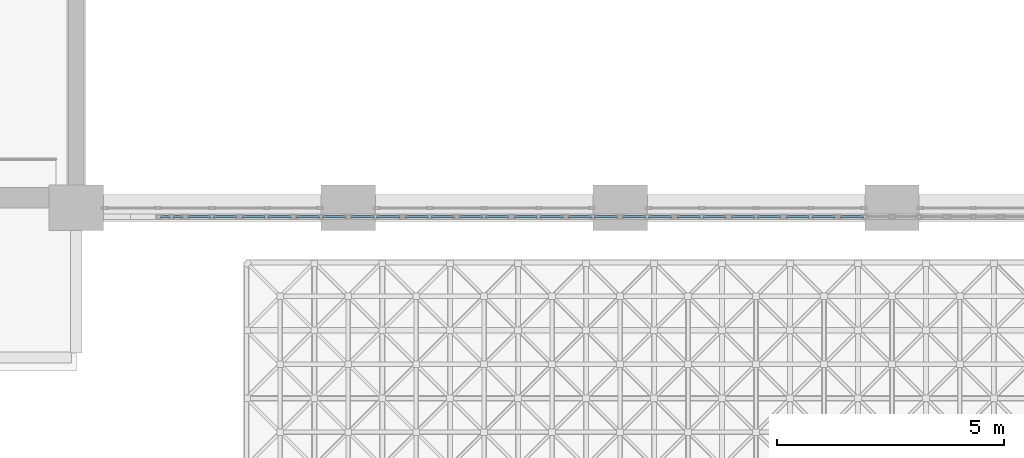
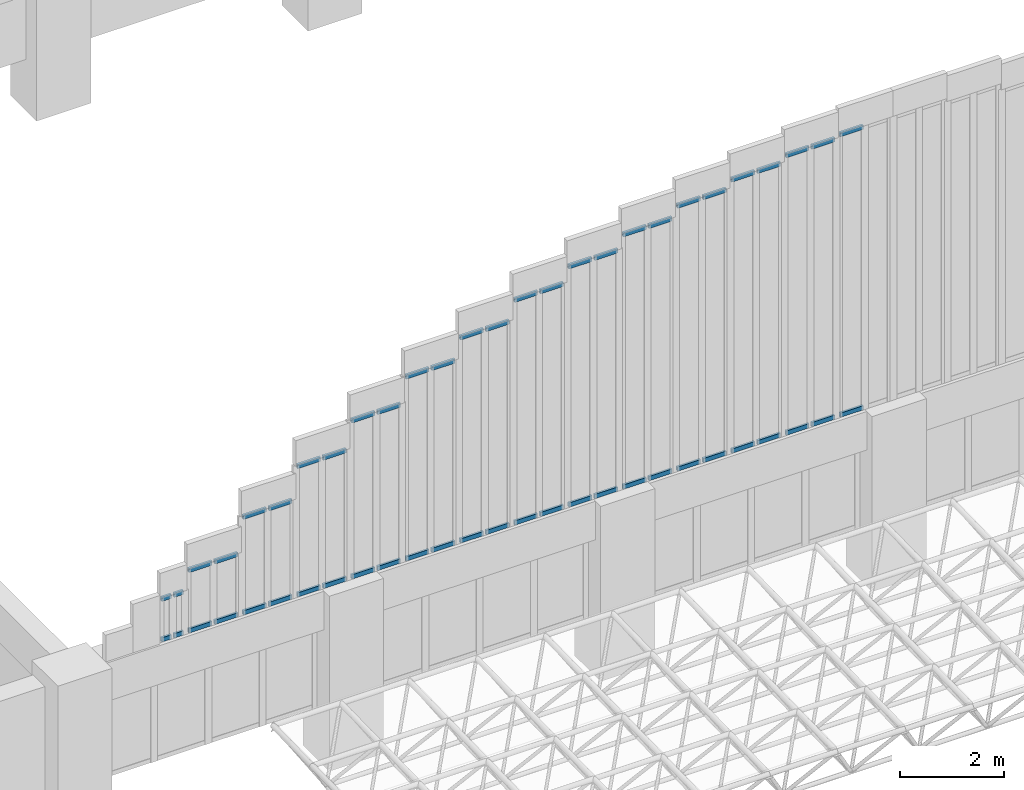
# One storey, part 41 of 103: 54 members, 14 elements without a shape of their own.
"""IFC4 building model written with IfcOpenShell, lengths in metres."""

import ifcopenshell
import ifcopenshell.guid

model = None  # the IFC model being written
_history = None  # IfcOwnerHistory: only IFC2X3 demands one
_inside = {}  # id of a spatial element -> (the spatial element, [elements in it])
_under = {}  # id of a project, library or spatial element -> (it, [spatial elements below it])
_declared = {}  # id of a project -> (the project, [libraries it declares])
_typed = {}  # id of a type object -> (the type object, [elements of that type])
_made_of = {}  # id of a material, layer set ... -> (it, [elements and type objects made of it])


def new_model(schema):
    """Start an empty IFC model of exactly this schema.

    Asked for "IFC4X3", IfcOpenShell would pick the latest addendum, in which some entities
    have other attributes; the version numbers below select the first issue.
    IFC2X3 requires an IfcOwnerHistory on every rooted entity: one is made here for all.
    """
    global model, _history
    if schema == "IFC4X3":
        model = ifcopenshell.file(schema_version=(4, 3, 0, 0))
    else:
        model = ifcopenshell.file(schema=schema)
    _inside.clear()
    _under.clear()
    _declared.clear()
    _typed.clear()
    _made_of.clear()
    _history = None
    if model.schema == "IFC2X3":
        org = make("IfcOrganization", Name="unknown")
        user = make(
            "IfcPersonAndOrganization",
            ThePerson=make("IfcPerson", FamilyName="unknown"),
            TheOrganization=org,
        )
        app = make(
            "IfcApplication",
            ApplicationDeveloper=org,
            Version="unknown",
            ApplicationFullName="unknown",
            ApplicationIdentifier="unknown",
        )
        _history = make(
            "IfcOwnerHistory",
            OwningUser=user,
            OwningApplication=app,
            ChangeAction="ADDED",
            CreationDate=0,
        )
    return model


def make(cls, **values):
    """One entity of the class cls with the attributes given. An attribute that is None is left unset."""
    return model.create_entity(
        cls, **{name: value for name, value in values.items() if value is not None}
    )


def rooted(cls, **values):
    """An entity with a GlobalId (a new one), such as an element, a storey or a relation."""
    return make(cls, GlobalId=ifcopenshell.guid.new(), OwnerHistory=_history, **values)


def si_unit(unit_type, name, prefix=None):
    """IfcSIUnit, for example si_unit("LENGTHUNIT", "METRE", prefix="MILLI")."""
    return make("IfcSIUnit", UnitType=unit_type, Prefix=prefix, Name=name)


def assignment(units):
    """IfcUnitAssignment: the units of a project."""
    return None if units is None else make("IfcUnitAssignment", Units=units)


def point(xyz):
    """IfcCartesianPoint."""
    return None if xyz is None else make("IfcCartesianPoint", Coordinates=xyz)


def direction(xyz):
    """IfcDirection."""
    return None if xyz is None else make("IfcDirection", DirectionRatios=xyz)


def frame(location, z_axis=None, x_axis=None):
    """IfcAxis2Placement3D, a coordinate frame: its origin and axes. An axis left out is left unset."""
    return make(
        "IfcAxis2Placement3D",
        Location=point(location),
        Axis=direction(z_axis),
        RefDirection=direction(x_axis),
    )


def frame_2d(location, x_axis=None):
    """IfcAxis2Placement2D, a coordinate frame in the plane: its origin and x axis."""
    return make(
        "IfcAxis2Placement2D", Location=point(location), RefDirection=direction(x_axis)
    )


def origin():
    """The frame at (0, 0, 0) with its axes left unset."""
    return frame((0.0, 0.0, 0.0))


def origin_2d():
    """The frame at (0, 0) in the plane with its x axis left unset."""
    return frame_2d((0.0, 0.0))


def place(relative_to, where):
    """IfcLocalPlacement: puts the frame where relative to a parent placement (None: the world)."""
    return make(
        "IfcLocalPlacement", PlacementRelTo=relative_to, RelativePlacement=where
    )


def context(
    kind, dimensions, precision=None, world=None, true_north=None, identifier=None
):
    """IfcGeometricRepresentationContext, for example the 3D "Model" context."""
    return make(
        "IfcGeometricRepresentationContext",
        ContextIdentifier=identifier,
        ContextType=kind,
        CoordinateSpaceDimension=dimensions,
        Precision=precision,
        WorldCoordinateSystem=world,
        TrueNorth=true_north,
    )


def subcontext(parent, identifier, kind, view, scale=None):
    """IfcGeometricRepresentationSubContext, for example "Body" below "Model"."""
    return make(
        "IfcGeometricRepresentationSubContext",
        ContextIdentifier=identifier,
        ContextType=kind,
        ParentContext=parent,
        TargetScale=scale,
        TargetView=view,
    )


def project(units=None, contexts=None):
    """IfcProject with its units and contexts."""
    return rooted(
        "IfcProject",
        Name="project",
        RepresentationContexts=contexts,
        UnitsInContext=assignment(units),
    )


def spatial(cls, under=None, at=None, **own):
    """A site, building, storey or space (cls), placed at a placement, below another one or the project."""
    s = rooted(cls, ObjectPlacement=at, **own)
    if under is not None:
        _under.setdefault(under.id(), (under, []))[1].append(s)
    return s


def profile(cls, at=None, kind="AREA", **sizes):
    """A parametric profile (cls). Its sizes go by their IFC names, for example OverallWidth=200.0."""
    return make(cls, ProfileType=kind, Position=at, **sizes)


def hollow_rectangle(**sizes):
    """IfcRectangleHollowProfileDef."""
    return profile("IfcRectangleHollowProfileDef", **sizes)


def extrude(swept, where, along, depth):
    """IfcExtrudedAreaSolid: the profile swept, set in the frame where, extruded along a direction by depth."""
    return make(
        "IfcExtrudedAreaSolid",
        SweptArea=swept,
        Position=where,
        ExtrudedDirection=direction(along),
        Depth=depth,
    )


def shape(context_of_items, identifier, shape_type, items):
    """IfcShapeRepresentation: the items that make up one representation, for example the "Body"."""
    return make(
        "IfcShapeRepresentation",
        ContextOfItems=context_of_items,
        RepresentationIdentifier=identifier,
        RepresentationType=shape_type,
        Items=items,
    )


def material(Name=None, Category=None):
    """IfcMaterial."""
    return make("IfcMaterial", Name=Name, Category=Category)


def material_profile(
    of_material, cross_section, Name=None, Category=None, Priority=None
):
    """IfcMaterialProfile: a cross section and its material."""
    return make(
        "IfcMaterialProfile",
        Name=Name,
        Material=of_material,
        Profile=cross_section,
        Priority=Priority,
        Category=Category,
    )


def profile_set(profiles, Name=None, composite=None):
    """IfcMaterialProfileSet."""
    return make(
        "IfcMaterialProfileSet",
        Name=Name,
        MaterialProfiles=profiles,
        CompositeProfile=composite,
    )


def made_of(thing, what):
    """Note that an element or type object is made of a material, layer set ...; save() writes the relation."""
    if what is not None:
        _made_of.setdefault(what.id(), (what, []))[1].append(thing)
    return thing


def type_object(cls, material=None, **own):
    """A type object (cls), such as IfcWallType, which elements share."""
    return made_of(rooted(cls, **own), material)


def element(
    cls,
    number,
    at=None,
    inside=None,
    cuts=None,
    type_object=None,
    material=None,
    context=None,
    identifier="Body",
    shape_type=None,
    held_by="IfcProductDefinitionShape",
    body=None,
    shapes=None,
    **own,
):
    """One element of the class cls, such as IfcWall. Its Tag is "e" and its number.

    at: its placement. inside: the storey or other place that contains it. cuts: it is an
    opening in that element (IfcRelVoidsElement). A single representation is given by context,
    identifier, shape_type and body (its items); several are given by shapes. held_by: the class
    of the entity that holds the representations. save() writes the other relations.
    """
    e = rooted(cls, Tag="e%d" % number, ObjectPlacement=at, **own)
    if body is not None:
        shapes = [shape(context, identifier, shape_type, body)]
    if shapes is not None:
        e.Representation = make(held_by, Representations=shapes)
    if inside is not None:
        _inside.setdefault(inside.id(), (inside, []))[1].append(e)
    if cuts is not None:
        rooted(
            "IfcRelVoidsElement", RelatingBuildingElement=cuts, RelatedOpeningElement=e
        )
    if type_object is not None:
        _typed.setdefault(type_object.id(), (type_object, []))[1].append(e)
    return made_of(e, material)


def aggregate(whole, parts):
    """IfcRelAggregates: a whole, such as a stair, and the parts it consists of."""
    return rooted("IfcRelAggregates", RelatingObject=whole, RelatedObjects=parts)


def save(model, path):
    """Write the relations noted so far, then the file.

    IfcRelAggregates (storeys below a building ...), IfcRelContainedInSpatialStructure (elements
    in a storey), IfcRelDefinesByType, IfcRelAssociatesMaterial and IfcRelDeclares: one each for
    every whole, place, type object, material and project.
    """
    for whole, parts in _under.values():
        aggregate(whole, parts)
    for where, things in _inside.values():
        rooted(
            "IfcRelContainedInSpatialStructure",
            RelatedElements=things,
            RelatingStructure=where,
        )
    for kind, things in _typed.values():
        rooted("IfcRelDefinesByType", RelatedObjects=things, RelatingType=kind)
    for what, things in _made_of.values():
        rooted("IfcRelAssociatesMaterial", RelatedObjects=things, RelatingMaterial=what)
    for by, libraries in _declared.values():
        rooted("IfcRelDeclares", RelatingContext=by, RelatedDefinitions=libraries)
    model.write(path)


model = new_model("IFC4")

# Units and contexts
model_context = context("Model", 3, precision=1e-05, world=origin(), true_north=direction((0.0, 1.0)))
body_context = subcontext(model_context, "Body", "Model", "MODEL_VIEW")
ifc_project = project(units=[si_unit("LENGTHUNIT", "METRE"), si_unit("AREAUNIT", "SQUARE_METRE"), si_unit("VOLUMEUNIT", "CUBIC_METRE"), si_unit("PLANEANGLEUNIT", "RADIAN"), si_unit("MASSUNIT", "GRAM", prefix="KILO")], contexts=[model_context])

# Site, building, storey
site_placement = place(None, origin())
site = spatial("IfcSite", under=ifc_project, at=site_placement, CompositionType="ELEMENT")
building_placement = place(site_placement, origin())
building = spatial("IfcBuilding", under=site, at=building_placement, Name="Laocheng Heights Fire and Rescue Headquarters", CompositionType="ELEMENT")
storey_placement = place(building_placement, frame((0.0, 0.0, 4.199951171875)))
storey = spatial("IfcBuildingStorey", under=building, at=storey_placement, Name="L01", CompositionType="ELEMENT", Elevation=4.199951171875)

# Curtain wall, members
ifc_material_1 = material(Name="Aluminium gable glazing, low-e double glazing", Category="aluminium")
curtain_wall_type_1 = type_object("IfcCurtainWallType", Name="GABLE GLAZED UNIT 600 x 1049", PredefinedType="NOTDEFINED", material=ifc_material_1)
curtain_wall_1_placement = place(storey_placement, origin())
curtain_wall_1 = element("IfcCurtainWall", 1, at=curtain_wall_1_placement, inside=storey, type_object=curtain_wall_type_1, Name="Gable glazing S03", PredefinedType="NOTDEFINED")
ifc_material_2 = material(Name="Aluminium 6063-T5 extrusion", Category="aluminium")
ifc_material_profile = material_profile(ifc_material_2, hollow_rectangle(XDim=0.050048828125, YDim=0.10009765625, WallThickness=0.0029296875, at=origin_2d()), Name="AL TRANSOM 100x50x3")
ifc_profile_set = profile_set([ifc_material_profile], Name="Aluminium 6063-T5 extrusion")
member_type = type_object("IfcMemberType", Name="AL GABLE TRANSOM 100x50x3", PredefinedType="USERDEFINED", material=ifc_profile_set)
member_1_placement = place(storey_placement, frame((19.860107421875, -0.196533203125, 4.140625), z_axis=(1.0, 0.0, 0.0), x_axis=(0.0, 1.0, 0.0)))
member_1 = element("IfcMember", 2, at=member_1_placement, type_object=member_type, Name="X2-D transom 1.1", ObjectType="TRANSOM", PredefinedType="USERDEFINED", context=body_context, shape_type="SweptSolid", body=[
    extrude(hollow_rectangle(XDim=0.050048828125, YDim=0.10009765625, WallThickness=0.0029296875, at=origin_2d()), origin(), (0.0, 0.0, 1.0), 0.2099609375),
])
member_2_placement = place(storey_placement, frame((19.860107421875, -0.196533203125, 5.089111328125), z_axis=(1.0, 0.0, 0.0), x_axis=(0.0, 1.0, 0.0)))
member_2 = element("IfcMember", 3, at=member_2_placement, type_object=member_type, Name="X2-D transom 1.2", ObjectType="TRANSOM", PredefinedType="USERDEFINED", context=body_context, shape_type="SweptSolid", body=[
    extrude(hollow_rectangle(XDim=0.050048828125, YDim=0.10009765625, WallThickness=0.0029296875, at=origin_2d()), origin(), (0.0, 0.0, 1.0), 0.2099609375),
])
member_3_placement = place(storey_placement, frame((20.1298828125, -0.196533203125, 4.140625), z_axis=(1.0, 0.0, 0.0), x_axis=(0.0, 1.0, 0.0)))
member_3 = element("IfcMember", 4, at=member_3_placement, type_object=member_type, Name="X2-D transom 2.1", ObjectType="TRANSOM", PredefinedType="USERDEFINED", context=body_context, shape_type="SweptSolid", body=[
    extrude(hollow_rectangle(XDim=0.050048828125, YDim=0.10009765625, WallThickness=0.0029296875, at=origin_2d()), origin(), (0.0, 0.0, 1.0), 0.210205078125),
])
member_4_placement = place(storey_placement, frame((20.1298828125, -0.196533203125, 5.089111328125), z_axis=(1.0, 0.0, 0.0), x_axis=(0.0, 1.0, 0.0)))
member_4 = element("IfcMember", 5, at=member_4_placement, type_object=member_type, Name="X2-D transom 2.2", ObjectType="TRANSOM", PredefinedType="USERDEFINED", context=body_context, shape_type="SweptSolid", body=[
    extrude(hollow_rectangle(XDim=0.050048828125, YDim=0.10009765625, WallThickness=0.0029296875, at=origin_2d()), origin(), (0.0, 0.0, 1.0), 0.210205078125),
])
aggregate(curtain_wall_1, [member_1, member_2, member_3, member_4])

ifc_material_3 = material(Name="Aluminium gable glazing, low-e double glazing", Category="aluminium")
curtain_wall_type_2 = type_object("IfcCurtainWallType", Name="GABLE GLAZED UNIT 1200 x 1511", PredefinedType="NOTDEFINED", material=ifc_material_3)
curtain_wall_2_placement = place(storey_placement, origin())
curtain_wall_2 = element("IfcCurtainWall", 6, at=curtain_wall_2_placement, inside=storey, type_object=curtain_wall_type_2, Name="Gable glazing S04", PredefinedType="NOTDEFINED")
member_5_placement = place(storey_placement, frame((20.4599609375, -0.196533203125, 4.140625), z_axis=(1.0, 0.0, 0.0), x_axis=(0.0, 1.0, 0.0)))
member_5 = element("IfcMember", 7, at=member_5_placement, type_object=member_type, Name="X3-D transom 1.1", ObjectType="TRANSOM", PredefinedType="USERDEFINED", context=body_context, shape_type="SweptSolid", body=[
    extrude(hollow_rectangle(XDim=0.050048828125, YDim=0.10009765625, WallThickness=0.0029296875, at=origin_2d()), origin(), (0.0, 0.0, 1.0), 0.510009765625),
])
member_6_placement = place(storey_placement, frame((20.4599609375, -0.196533203125, 5.552001953125), z_axis=(1.0, 0.0, 0.0), x_axis=(0.0, 1.0, 0.0)))
member_6 = element("IfcMember", 8, at=member_6_placement, type_object=member_type, Name="X3-D transom 1.2", ObjectType="TRANSOM", PredefinedType="USERDEFINED", context=body_context, shape_type="SweptSolid", body=[
    extrude(hollow_rectangle(XDim=0.050048828125, YDim=0.10009765625, WallThickness=0.0029296875, at=origin_2d()), origin(), (0.0, 0.0, 1.0), 0.510009765625),
])
member_7_placement = place(storey_placement, frame((21.030029296875, -0.196533203125, 4.140625), z_axis=(1.0, 0.0, 0.0), x_axis=(0.0, 1.0, 0.0)))
member_7 = element("IfcMember", 9, at=member_7_placement, type_object=member_type, Name="X3-D transom 2.1", ObjectType="TRANSOM", PredefinedType="USERDEFINED", context=body_context, shape_type="SweptSolid", body=[
    extrude(hollow_rectangle(XDim=0.050048828125, YDim=0.10009765625, WallThickness=0.0029296875, at=origin_2d()), origin(), (0.0, 0.0, 1.0), 0.510009765625),
])
member_8_placement = place(storey_placement, frame((21.030029296875, -0.196533203125, 5.552001953125), z_axis=(1.0, 0.0, 0.0), x_axis=(0.0, 1.0, 0.0)))
member_8 = element("IfcMember", 10, at=member_8_placement, type_object=member_type, Name="X3-D transom 2.2", ObjectType="TRANSOM", PredefinedType="USERDEFINED", context=body_context, shape_type="SweptSolid", body=[
    extrude(hollow_rectangle(XDim=0.050048828125, YDim=0.10009765625, WallThickness=0.0029296875, at=origin_2d()), origin(), (0.0, 0.0, 1.0), 0.510009765625),
])
aggregate(curtain_wall_2, [member_5, member_6, member_7, member_8])

ifc_material_4 = material(Name="Aluminium gable glazing, low-e double glazing", Category="aluminium")
curtain_wall_type_3 = type_object("IfcCurtainWallType", Name="GABLE GLAZED UNIT 1200 x 2336", PredefinedType="NOTDEFINED", material=ifc_material_4)
curtain_wall_3_placement = place(storey_placement, origin())
curtain_wall_3 = element("IfcCurtainWall", 11, at=curtain_wall_3_placement, inside=storey, type_object=curtain_wall_type_3, Name="Gable glazing S05", PredefinedType="NOTDEFINED")
member_9_placement = place(storey_placement, frame((21.659912109375, -0.196533203125, 4.140625), z_axis=(1.0, 0.0, 0.0), x_axis=(0.0, 1.0, 0.0)))
member_9 = element("IfcMember", 12, at=member_9_placement, type_object=member_type, Name="X4-D transom 1.1", ObjectType="TRANSOM", PredefinedType="USERDEFINED", context=body_context, shape_type="SweptSolid", body=[
    extrude(hollow_rectangle(XDim=0.050048828125, YDim=0.10009765625, WallThickness=0.0029296875, at=origin_2d()), origin(), (0.0, 0.0, 1.0), 0.510009765625),
])
member_10_placement = place(storey_placement, frame((21.659912109375, -0.196533203125, 6.3759765625), z_axis=(1.0, 0.0, 0.0), x_axis=(0.0, 1.0, 0.0)))
member_10 = element("IfcMember", 13, at=member_10_placement, type_object=member_type, Name="X4-D transom 1.2", ObjectType="TRANSOM", PredefinedType="USERDEFINED", context=body_context, shape_type="SweptSolid", body=[
    extrude(hollow_rectangle(XDim=0.050048828125, YDim=0.10009765625, WallThickness=0.0029296875, at=origin_2d()), origin(), (0.0, 0.0, 1.0), 0.510009765625),
])
member_11_placement = place(storey_placement, frame((22.22998046875, -0.196533203125, 4.140625), z_axis=(1.0, 0.0, 0.0), x_axis=(0.0, 1.0, 0.0)))
member_11 = element("IfcMember", 14, at=member_11_placement, type_object=member_type, Name="X4-D transom 2.1", ObjectType="TRANSOM", PredefinedType="USERDEFINED", context=body_context, shape_type="SweptSolid", body=[
    extrude(hollow_rectangle(XDim=0.050048828125, YDim=0.10009765625, WallThickness=0.0029296875, at=origin_2d()), origin(), (0.0, 0.0, 1.0), 0.510009765625),
])
member_12_placement = place(storey_placement, frame((22.22998046875, -0.196533203125, 6.3759765625), z_axis=(1.0, 0.0, 0.0), x_axis=(0.0, 1.0, 0.0)))
member_12 = element("IfcMember", 15, at=member_12_placement, type_object=member_type, Name="X4-D transom 2.2", ObjectType="TRANSOM", PredefinedType="USERDEFINED", context=body_context, shape_type="SweptSolid", body=[
    extrude(hollow_rectangle(XDim=0.050048828125, YDim=0.10009765625, WallThickness=0.0029296875, at=origin_2d()), origin(), (0.0, 0.0, 1.0), 0.510009765625),
])
aggregate(curtain_wall_3, [member_9, member_10, member_11, member_12])

ifc_material_5 = material(Name="Aluminium gable glazing, low-e double glazing", Category="aluminium")
curtain_wall_type_4 = type_object("IfcCurtainWallType", Name="GABLE GLAZED UNIT 1200 x 3100", PredefinedType="NOTDEFINED", material=ifc_material_5)
curtain_wall_4_placement = place(storey_placement, origin())
curtain_wall_4 = element("IfcCurtainWall", 16, at=curtain_wall_4_placement, inside=storey, type_object=curtain_wall_type_4, Name="Gable glazing S06", PredefinedType="NOTDEFINED")
member_13_placement = place(storey_placement, frame((22.860107421875, -0.196533203125, 4.140625), z_axis=(1.0, 0.0, 0.0), x_axis=(0.0, 1.0, 0.0)))
member_13 = element("IfcMember", 17, at=member_13_placement, type_object=member_type, Name="X5-D transom 1.1", ObjectType="TRANSOM", PredefinedType="USERDEFINED", context=body_context, shape_type="SweptSolid", body=[
    extrude(hollow_rectangle(XDim=0.050048828125, YDim=0.10009765625, WallThickness=0.0029296875, at=origin_2d()), origin(), (0.0, 0.0, 1.0), 0.510009765625),
])
member_14_placement = place(storey_placement, frame((22.860107421875, -0.196533203125, 7.14013671875), z_axis=(1.0, 0.0, 0.0), x_axis=(0.0, 1.0, 0.0)))
member_14 = element("IfcMember", 18, at=member_14_placement, type_object=member_type, Name="X5-D transom 1.2", ObjectType="TRANSOM", PredefinedType="USERDEFINED", context=body_context, shape_type="SweptSolid", body=[
    extrude(hollow_rectangle(XDim=0.050048828125, YDim=0.10009765625, WallThickness=0.0029296875, at=origin_2d()), origin(), (0.0, 0.0, 1.0), 0.510009765625),
])
member_15_placement = place(storey_placement, frame((23.429931640625, -0.196533203125, 4.140625), z_axis=(1.0, 0.0, 0.0), x_axis=(0.0, 1.0, 0.0)))
member_15 = element("IfcMember", 19, at=member_15_placement, type_object=member_type, Name="X5-D transom 2.1", ObjectType="TRANSOM", PredefinedType="USERDEFINED", context=body_context, shape_type="SweptSolid", body=[
    extrude(hollow_rectangle(XDim=0.050048828125, YDim=0.10009765625, WallThickness=0.0029296875, at=origin_2d()), origin(), (0.0, 0.0, 1.0), 0.510009765625),
])
member_16_placement = place(storey_placement, frame((23.429931640625, -0.196533203125, 7.14013671875), z_axis=(1.0, 0.0, 0.0), x_axis=(0.0, 1.0, 0.0)))
member_16 = element("IfcMember", 20, at=member_16_placement, type_object=member_type, Name="X5-D transom 2.2", ObjectType="TRANSOM", PredefinedType="USERDEFINED", context=body_context, shape_type="SweptSolid", body=[
    extrude(hollow_rectangle(XDim=0.050048828125, YDim=0.10009765625, WallThickness=0.0029296875, at=origin_2d()), origin(), (0.0, 0.0, 1.0), 0.510009765625),
])
aggregate(curtain_wall_4, [member_13, member_14, member_15, member_16])

ifc_material_6 = material(Name="Aluminium gable glazing, low-e double glazing", Category="aluminium")
curtain_wall_type_5 = type_object("IfcCurtainWallType", Name="GABLE GLAZED UNIT 1200 x 3746", PredefinedType="NOTDEFINED", material=ifc_material_6)
curtain_wall_5_placement = place(storey_placement, origin())
curtain_wall_5 = element("IfcCurtainWall", 21, at=curtain_wall_5_placement, inside=storey, type_object=curtain_wall_type_5, Name="Gable glazing S07", PredefinedType="NOTDEFINED")
member_17_placement = place(storey_placement, frame((24.06005859375, -0.196533203125, 4.140625), z_axis=(1.0, 0.0, 0.0), x_axis=(0.0, 1.0, 0.0)))
member_17 = element("IfcMember", 22, at=member_17_placement, type_object=member_type, Name="X6-D transom 1.1", ObjectType="TRANSOM", PredefinedType="USERDEFINED", context=body_context, shape_type="SweptSolid", body=[
    extrude(hollow_rectangle(XDim=0.050048828125, YDim=0.10009765625, WallThickness=0.0029296875, at=origin_2d()), origin(), (0.0, 0.0, 1.0), 0.510009765625),
])
member_18_placement = place(storey_placement, frame((24.06005859375, -0.196533203125, 7.7861328125), z_axis=(1.0, 0.0, 0.0), x_axis=(0.0, 1.0, 0.0)))
member_18 = element("IfcMember", 23, at=member_18_placement, type_object=member_type, Name="X6-D transom 1.2", ObjectType="TRANSOM", PredefinedType="USERDEFINED", context=body_context, shape_type="SweptSolid", body=[
    extrude(hollow_rectangle(XDim=0.050048828125, YDim=0.10009765625, WallThickness=0.0029296875, at=origin_2d()), origin(), (0.0, 0.0, 1.0), 0.510009765625),
])
member_19_placement = place(storey_placement, frame((24.6298828125, -0.196533203125, 4.140625), z_axis=(1.0, 0.0, 0.0), x_axis=(0.0, 1.0, 0.0)))
member_19 = element("IfcMember", 24, at=member_19_placement, type_object=member_type, Name="X6-D transom 2.1", ObjectType="TRANSOM", PredefinedType="USERDEFINED", context=body_context, shape_type="SweptSolid", body=[
    extrude(hollow_rectangle(XDim=0.050048828125, YDim=0.10009765625, WallThickness=0.0029296875, at=origin_2d()), origin(), (0.0, 0.0, 1.0), 0.510009765625),
])
member_20_placement = place(storey_placement, frame((24.6298828125, -0.196533203125, 7.7861328125), z_axis=(1.0, 0.0, 0.0), x_axis=(0.0, 1.0, 0.0)))
member_20 = element("IfcMember", 25, at=member_20_placement, type_object=member_type, Name="X6-D transom 2.2", ObjectType="TRANSOM", PredefinedType="USERDEFINED", context=body_context, shape_type="SweptSolid", body=[
    extrude(hollow_rectangle(XDim=0.050048828125, YDim=0.10009765625, WallThickness=0.0029296875, at=origin_2d()), origin(), (0.0, 0.0, 1.0), 0.510009765625),
])
aggregate(curtain_wall_5, [member_17, member_18, member_19, member_20])

ifc_material_7 = material(Name="Aluminium gable glazing, low-e double glazing", Category="aluminium")
curtain_wall_type_6 = type_object("IfcCurtainWallType", Name="GABLE GLAZED UNIT 1200 x 4353", PredefinedType="NOTDEFINED", material=ifc_material_7)
curtain_wall_6_placement = place(storey_placement, origin())
curtain_wall_6 = element("IfcCurtainWall", 26, at=curtain_wall_6_placement, inside=storey, type_object=curtain_wall_type_6, Name="Gable glazing S08", PredefinedType="NOTDEFINED")
member_21_placement = place(storey_placement, frame((25.260009765625, -0.196533203125, 4.140625), z_axis=(1.0, 0.0, 0.0), x_axis=(0.0, 1.0, 0.0)))
member_21 = element("IfcMember", 27, at=member_21_placement, type_object=member_type, Name="X7-D transom 1.1", ObjectType="TRANSOM", PredefinedType="USERDEFINED", context=body_context, shape_type="SweptSolid", body=[
    extrude(hollow_rectangle(XDim=0.050048828125, YDim=0.10009765625, WallThickness=0.0029296875, at=origin_2d()), origin(), (0.0, 0.0, 1.0), 0.510009765625),
])
member_22_placement = place(storey_placement, frame((25.260009765625, -0.196533203125, 8.39306640625), z_axis=(1.0, 0.0, 0.0), x_axis=(0.0, 1.0, 0.0)))
member_22 = element("IfcMember", 28, at=member_22_placement, type_object=member_type, Name="X7-D transom 1.2", ObjectType="TRANSOM", PredefinedType="USERDEFINED", context=body_context, shape_type="SweptSolid", body=[
    extrude(hollow_rectangle(XDim=0.050048828125, YDim=0.10009765625, WallThickness=0.0029296875, at=origin_2d()), origin(), (0.0, 0.0, 1.0), 0.510009765625),
])
member_23_placement = place(storey_placement, frame((25.830078125, -0.196533203125, 4.140625), z_axis=(1.0, 0.0, 0.0), x_axis=(0.0, 1.0, 0.0)))
member_23 = element("IfcMember", 29, at=member_23_placement, type_object=member_type, Name="X7-D transom 2.1", ObjectType="TRANSOM", PredefinedType="USERDEFINED", context=body_context, shape_type="SweptSolid", body=[
    extrude(hollow_rectangle(XDim=0.050048828125, YDim=0.10009765625, WallThickness=0.0029296875, at=origin_2d()), origin(), (0.0, 0.0, 1.0), 0.510009765625),
])
member_24_placement = place(storey_placement, frame((25.830078125, -0.196533203125, 8.39306640625), z_axis=(1.0, 0.0, 0.0), x_axis=(0.0, 1.0, 0.0)))
member_24 = element("IfcMember", 30, at=member_24_placement, type_object=member_type, Name="X7-D transom 2.2", ObjectType="TRANSOM", PredefinedType="USERDEFINED", context=body_context, shape_type="SweptSolid", body=[
    extrude(hollow_rectangle(XDim=0.050048828125, YDim=0.10009765625, WallThickness=0.0029296875, at=origin_2d()), origin(), (0.0, 0.0, 1.0), 0.510009765625),
])
aggregate(curtain_wall_6, [member_21, member_22, member_23, member_24])

ifc_material_8 = material(Name="Aluminium gable glazing, low-e double glazing", Category="aluminium")
curtain_wall_type_7 = type_object("IfcCurtainWallType", Name="GABLE GLAZED UNIT 1200 x 4846", PredefinedType="NOTDEFINED", material=ifc_material_8)
curtain_wall_7_placement = place(storey_placement, origin())
curtain_wall_7 = element("IfcCurtainWall", 31, at=curtain_wall_7_placement, inside=storey, type_object=curtain_wall_type_7, Name="Gable glazing S09", PredefinedType="NOTDEFINED")
member_25_placement = place(storey_placement, frame((26.4599609375, -0.196533203125, 4.140625), z_axis=(1.0, 0.0, 0.0), x_axis=(0.0, 1.0, 0.0)))
member_25 = element("IfcMember", 32, at=member_25_placement, type_object=member_type, Name="X8-D transom 1.1", ObjectType="TRANSOM", PredefinedType="USERDEFINED", context=body_context, shape_type="SweptSolid", body=[
    extrude(hollow_rectangle(XDim=0.050048828125, YDim=0.10009765625, WallThickness=0.0029296875, at=origin_2d()), origin(), (0.0, 0.0, 1.0), 0.510009765625),
])
member_26_placement = place(storey_placement, frame((26.4599609375, -0.196533203125, 8.885986328125), z_axis=(1.0, 0.0, 0.0), x_axis=(0.0, 1.0, 0.0)))
member_26 = element("IfcMember", 33, at=member_26_placement, type_object=member_type, Name="X8-D transom 1.2", ObjectType="TRANSOM", PredefinedType="USERDEFINED", context=body_context, shape_type="SweptSolid", body=[
    extrude(hollow_rectangle(XDim=0.050048828125, YDim=0.10009765625, WallThickness=0.0029296875, at=origin_2d()), origin(), (0.0, 0.0, 1.0), 0.510009765625),
])
member_27_placement = place(storey_placement, frame((27.030029296875, -0.196533203125, 4.140625), z_axis=(1.0, 0.0, 0.0), x_axis=(0.0, 1.0, 0.0)))
member_27 = element("IfcMember", 34, at=member_27_placement, type_object=member_type, Name="X8-D transom 2.1", ObjectType="TRANSOM", PredefinedType="USERDEFINED", context=body_context, shape_type="SweptSolid", body=[
    extrude(hollow_rectangle(XDim=0.050048828125, YDim=0.10009765625, WallThickness=0.0029296875, at=origin_2d()), origin(), (0.0, 0.0, 1.0), 0.510009765625),
])
member_28_placement = place(storey_placement, frame((27.030029296875, -0.196533203125, 8.885986328125), z_axis=(1.0, 0.0, 0.0), x_axis=(0.0, 1.0, 0.0)))
member_28 = element("IfcMember", 35, at=member_28_placement, type_object=member_type, Name="X8-D transom 2.2", ObjectType="TRANSOM", PredefinedType="USERDEFINED", context=body_context, shape_type="SweptSolid", body=[
    extrude(hollow_rectangle(XDim=0.050048828125, YDim=0.10009765625, WallThickness=0.0029296875, at=origin_2d()), origin(), (0.0, 0.0, 1.0), 0.510009765625),
])
aggregate(curtain_wall_7, [member_25, member_26, member_27, member_28])

ifc_material_9 = material(Name="Aluminium gable glazing, low-e double glazing", Category="aluminium")
curtain_wall_type_8 = type_object("IfcCurtainWallType", Name="GABLE GLAZED UNIT 1200 x 5306", PredefinedType="NOTDEFINED", material=ifc_material_9)
curtain_wall_8_placement = place(storey_placement, origin())
curtain_wall_8 = element("IfcCurtainWall", 36, at=curtain_wall_8_placement, inside=storey, type_object=curtain_wall_type_8, Name="Gable glazing S10", PredefinedType="NOTDEFINED")
member_29_placement = place(storey_placement, frame((27.659912109375, -0.196533203125, 4.140625), z_axis=(1.0, 0.0, 0.0), x_axis=(0.0, 1.0, 0.0)))
member_29 = element("IfcMember", 37, at=member_29_placement, type_object=member_type, Name="X9-D transom 1.1", ObjectType="TRANSOM", PredefinedType="USERDEFINED", context=body_context, shape_type="SweptSolid", body=[
    extrude(hollow_rectangle(XDim=0.050048828125, YDim=0.10009765625, WallThickness=0.0029296875, at=origin_2d()), origin(), (0.0, 0.0, 1.0), 0.510009765625),
])
member_30_placement = place(storey_placement, frame((27.659912109375, -0.196533203125, 9.345947265625), z_axis=(1.0, 0.0, 0.0), x_axis=(0.0, 1.0, 0.0)))
member_30 = element("IfcMember", 38, at=member_30_placement, type_object=member_type, Name="X9-D transom 1.2", ObjectType="TRANSOM", PredefinedType="USERDEFINED", context=body_context, shape_type="SweptSolid", body=[
    extrude(hollow_rectangle(XDim=0.050048828125, YDim=0.10009765625, WallThickness=0.0029296875, at=origin_2d()), origin(), (0.0, 0.0, 1.0), 0.510009765625),
])
member_31_placement = place(storey_placement, frame((28.22998046875, -0.196533203125, 4.140625), z_axis=(1.0, 0.0, 0.0), x_axis=(0.0, 1.0, 0.0)))
member_31 = element("IfcMember", 39, at=member_31_placement, type_object=member_type, Name="X9-D transom 2.1", ObjectType="TRANSOM", PredefinedType="USERDEFINED", context=body_context, shape_type="SweptSolid", body=[
    extrude(hollow_rectangle(XDim=0.050048828125, YDim=0.10009765625, WallThickness=0.0029296875, at=origin_2d()), origin(), (0.0, 0.0, 1.0), 0.510009765625),
])
member_32_placement = place(storey_placement, frame((28.22998046875, -0.196533203125, 9.345947265625), z_axis=(1.0, 0.0, 0.0), x_axis=(0.0, 1.0, 0.0)))
member_32 = element("IfcMember", 40, at=member_32_placement, type_object=member_type, Name="X9-D transom 2.2", ObjectType="TRANSOM", PredefinedType="USERDEFINED", context=body_context, shape_type="SweptSolid", body=[
    extrude(hollow_rectangle(XDim=0.050048828125, YDim=0.10009765625, WallThickness=0.0029296875, at=origin_2d()), origin(), (0.0, 0.0, 1.0), 0.510009765625),
])
aggregate(curtain_wall_8, [member_29, member_30, member_31, member_32])

ifc_material_10 = material(Name="Aluminium gable glazing, low-e double glazing", Category="aluminium")
curtain_wall_type_9 = type_object("IfcCurtainWallType", Name="GABLE GLAZED UNIT 1200 x 5668", PredefinedType="NOTDEFINED", material=ifc_material_10)
curtain_wall_9_placement = place(storey_placement, origin())
curtain_wall_9 = element("IfcCurtainWall", 41, at=curtain_wall_9_placement, inside=storey, type_object=curtain_wall_type_9, Name="Gable glazing S11", PredefinedType="NOTDEFINED")
member_33_placement = place(storey_placement, frame((28.860107421875, -0.196533203125, 4.140625), z_axis=(1.0, 0.0, 0.0), x_axis=(0.0, 1.0, 0.0)))
member_33 = element("IfcMember", 42, at=member_33_placement, type_object=member_type, Name="X10-D transom 1.1", ObjectType="TRANSOM", PredefinedType="USERDEFINED", context=body_context, shape_type="SweptSolid", body=[
    extrude(hollow_rectangle(XDim=0.050048828125, YDim=0.10009765625, WallThickness=0.0029296875, at=origin_2d()), origin(), (0.0, 0.0, 1.0), 0.510009765625),
])
member_34_placement = place(storey_placement, frame((28.860107421875, -0.196533203125, 9.708984375), z_axis=(1.0, 0.0, 0.0), x_axis=(0.0, 1.0, 0.0)))
member_34 = element("IfcMember", 43, at=member_34_placement, type_object=member_type, Name="X10-D transom 1.2", ObjectType="TRANSOM", PredefinedType="USERDEFINED", context=body_context, shape_type="SweptSolid", body=[
    extrude(hollow_rectangle(XDim=0.050048828125, YDim=0.10009765625, WallThickness=0.0029296875, at=origin_2d()), origin(), (0.0, 0.0, 1.0), 0.510009765625),
])
member_35_placement = place(storey_placement, frame((29.429931640625, -0.196533203125, 4.140625), z_axis=(1.0, 0.0, 0.0), x_axis=(0.0, 1.0, 0.0)))
member_35 = element("IfcMember", 44, at=member_35_placement, type_object=member_type, Name="X10-D transom 2.1", ObjectType="TRANSOM", PredefinedType="USERDEFINED", context=body_context, shape_type="SweptSolid", body=[
    extrude(hollow_rectangle(XDim=0.050048828125, YDim=0.10009765625, WallThickness=0.0029296875, at=origin_2d()), origin(), (0.0, 0.0, 1.0), 0.510009765625),
])
member_36_placement = place(storey_placement, frame((29.429931640625, -0.196533203125, 9.708984375), z_axis=(1.0, 0.0, 0.0), x_axis=(0.0, 1.0, 0.0)))
member_36 = element("IfcMember", 45, at=member_36_placement, type_object=member_type, Name="X10-D transom 2.2", ObjectType="TRANSOM", PredefinedType="USERDEFINED", context=body_context, shape_type="SweptSolid", body=[
    extrude(hollow_rectangle(XDim=0.050048828125, YDim=0.10009765625, WallThickness=0.0029296875, at=origin_2d()), origin(), (0.0, 0.0, 1.0), 0.510009765625),
])
aggregate(curtain_wall_9, [member_33, member_34, member_35, member_36])

ifc_material_11 = material(Name="Aluminium gable glazing, low-e double glazing", Category="aluminium")
curtain_wall_type_10 = type_object("IfcCurtainWallType", Name="GABLE GLAZED UNIT 1200 x 5994", PredefinedType="NOTDEFINED", material=ifc_material_11)
curtain_wall_10_placement = place(storey_placement, origin())
curtain_wall_10 = element("IfcCurtainWall", 46, at=curtain_wall_10_placement, inside=storey, type_object=curtain_wall_type_10, Name="Gable glazing S12", PredefinedType="NOTDEFINED")
member_37_placement = place(storey_placement, frame((30.06005859375, -0.196533203125, 4.140625), z_axis=(1.0, 0.0, 0.0), x_axis=(0.0, 1.0, 0.0)))
member_37 = element("IfcMember", 47, at=member_37_placement, type_object=member_type, Name="X11-D transom 1.1", ObjectType="TRANSOM", PredefinedType="USERDEFINED", context=body_context, shape_type="SweptSolid", body=[
    extrude(hollow_rectangle(XDim=0.050048828125, YDim=0.10009765625, WallThickness=0.0029296875, at=origin_2d()), origin(), (0.0, 0.0, 1.0), 0.510009765625),
])
member_38_placement = place(storey_placement, frame((30.06005859375, -0.196533203125, 10.03515625), z_axis=(1.0, 0.0, 0.0), x_axis=(0.0, 1.0, 0.0)))
member_38 = element("IfcMember", 48, at=member_38_placement, type_object=member_type, Name="X11-D transom 1.2", ObjectType="TRANSOM", PredefinedType="USERDEFINED", context=body_context, shape_type="SweptSolid", body=[
    extrude(hollow_rectangle(XDim=0.050048828125, YDim=0.10009765625, WallThickness=0.0029296875, at=origin_2d()), origin(), (0.0, 0.0, 1.0), 0.510009765625),
])
member_39_placement = place(storey_placement, frame((30.6298828125, -0.196533203125, 4.140625), z_axis=(1.0, 0.0, 0.0), x_axis=(0.0, 1.0, 0.0)))
member_39 = element("IfcMember", 49, at=member_39_placement, type_object=member_type, Name="X11-D transom 2.1", ObjectType="TRANSOM", PredefinedType="USERDEFINED", context=body_context, shape_type="SweptSolid", body=[
    extrude(hollow_rectangle(XDim=0.050048828125, YDim=0.10009765625, WallThickness=0.0029296875, at=origin_2d()), origin(), (0.0, 0.0, 1.0), 0.510009765625),
])
member_40_placement = place(storey_placement, frame((30.6298828125, -0.196533203125, 10.03515625), z_axis=(1.0, 0.0, 0.0), x_axis=(0.0, 1.0, 0.0)))
member_40 = element("IfcMember", 50, at=member_40_placement, type_object=member_type, Name="X11-D transom 2.2", ObjectType="TRANSOM", PredefinedType="USERDEFINED", context=body_context, shape_type="SweptSolid", body=[
    extrude(hollow_rectangle(XDim=0.050048828125, YDim=0.10009765625, WallThickness=0.0029296875, at=origin_2d()), origin(), (0.0, 0.0, 1.0), 0.510009765625),
])
aggregate(curtain_wall_10, [member_37, member_38, member_39, member_40])

ifc_material_12 = material(Name="Aluminium gable glazing, low-e double glazing", Category="aluminium")
curtain_wall_type_11 = type_object("IfcCurtainWallType", Name="GABLE GLAZED UNIT 1200 x 6246", PredefinedType="NOTDEFINED", material=ifc_material_12)
curtain_wall_11_placement = place(storey_placement, origin())
curtain_wall_11 = element("IfcCurtainWall", 51, at=curtain_wall_11_placement, inside=storey, type_object=curtain_wall_type_11, Name="Gable glazing S13", PredefinedType="NOTDEFINED")
member_41_placement = place(storey_placement, frame((31.260009765625, -0.196533203125, 4.140625), z_axis=(1.0, 0.0, 0.0), x_axis=(0.0, 1.0, 0.0)))
member_41 = element("IfcMember", 52, at=member_41_placement, type_object=member_type, Name="X12-D transom 1.1", ObjectType="TRANSOM", PredefinedType="USERDEFINED", context=body_context, shape_type="SweptSolid", body=[
    extrude(hollow_rectangle(XDim=0.050048828125, YDim=0.10009765625, WallThickness=0.0029296875, at=origin_2d()), origin(), (0.0, 0.0, 1.0), 0.510009765625),
])
member_42_placement = place(storey_placement, frame((31.260009765625, -0.196533203125, 10.2861328125), z_axis=(1.0, 0.0, 0.0), x_axis=(0.0, 1.0, 0.0)))
member_42 = element("IfcMember", 53, at=member_42_placement, type_object=member_type, Name="X12-D transom 1.2", ObjectType="TRANSOM", PredefinedType="USERDEFINED", context=body_context, shape_type="SweptSolid", body=[
    extrude(hollow_rectangle(XDim=0.050048828125, YDim=0.10009765625, WallThickness=0.0029296875, at=origin_2d()), origin(), (0.0, 0.0, 1.0), 0.510009765625),
])
member_43_placement = place(storey_placement, frame((31.830078125, -0.196533203125, 4.140625), z_axis=(1.0, 0.0, 0.0), x_axis=(0.0, 1.0, 0.0)))
member_43 = element("IfcMember", 54, at=member_43_placement, type_object=member_type, Name="X12-D transom 2.1", ObjectType="TRANSOM", PredefinedType="USERDEFINED", context=body_context, shape_type="SweptSolid", body=[
    extrude(hollow_rectangle(XDim=0.050048828125, YDim=0.10009765625, WallThickness=0.0029296875, at=origin_2d()), origin(), (0.0, 0.0, 1.0), 0.510009765625),
])
member_44_placement = place(storey_placement, frame((31.830078125, -0.196533203125, 10.2861328125), z_axis=(1.0, 0.0, 0.0), x_axis=(0.0, 1.0, 0.0)))
member_44 = element("IfcMember", 55, at=member_44_placement, type_object=member_type, Name="X12-D transom 2.2", ObjectType="TRANSOM", PredefinedType="USERDEFINED", context=body_context, shape_type="SweptSolid", body=[
    extrude(hollow_rectangle(XDim=0.050048828125, YDim=0.10009765625, WallThickness=0.0029296875, at=origin_2d()), origin(), (0.0, 0.0, 1.0), 0.510009765625),
])
aggregate(curtain_wall_11, [member_41, member_42, member_43, member_44])

ifc_material_13 = material(Name="Aluminium gable glazing, low-e double glazing", Category="aluminium")
curtain_wall_type_12 = type_object("IfcCurtainWallType", Name="GABLE GLAZED UNIT 1200 x 6438", PredefinedType="NOTDEFINED", material=ifc_material_13)
curtain_wall_12_placement = place(storey_placement, origin())
curtain_wall_12 = element("IfcCurtainWall", 56, at=curtain_wall_12_placement, inside=storey, type_object=curtain_wall_type_12, Name="Gable glazing S14", PredefinedType="NOTDEFINED")
member_45_placement = place(storey_placement, frame((32.4599609375, -0.196533203125, 4.140625), z_axis=(1.0, 0.0, 0.0), x_axis=(0.0, 1.0, 0.0)))
member_45 = element("IfcMember", 57, at=member_45_placement, type_object=member_type, Name="X13-D transom 1.1", ObjectType="TRANSOM", PredefinedType="USERDEFINED", context=body_context, shape_type="SweptSolid", body=[
    extrude(hollow_rectangle(XDim=0.050048828125, YDim=0.10009765625, WallThickness=0.0029296875, at=origin_2d()), origin(), (0.0, 0.0, 1.0), 0.510009765625),
])
member_46_placement = place(storey_placement, frame((32.4599609375, -0.196533203125, 10.47802734375), z_axis=(1.0, 0.0, 0.0), x_axis=(0.0, 1.0, 0.0)))
member_46 = element("IfcMember", 58, at=member_46_placement, type_object=member_type, Name="X13-D transom 1.2", ObjectType="TRANSOM", PredefinedType="USERDEFINED", context=body_context, shape_type="SweptSolid", body=[
    extrude(hollow_rectangle(XDim=0.050048828125, YDim=0.10009765625, WallThickness=0.0029296875, at=origin_2d()), origin(), (0.0, 0.0, 1.0), 0.510009765625),
])
member_47_placement = place(storey_placement, frame((33.030029296875, -0.196533203125, 4.140625), z_axis=(1.0, 0.0, 0.0), x_axis=(0.0, 1.0, 0.0)))
member_47 = element("IfcMember", 59, at=member_47_placement, type_object=member_type, Name="X13-D transom 2.1", ObjectType="TRANSOM", PredefinedType="USERDEFINED", context=body_context, shape_type="SweptSolid", body=[
    extrude(hollow_rectangle(XDim=0.050048828125, YDim=0.10009765625, WallThickness=0.0029296875, at=origin_2d()), origin(), (0.0, 0.0, 1.0), 0.510009765625),
])
member_48_placement = place(storey_placement, frame((33.030029296875, -0.196533203125, 10.47802734375), z_axis=(1.0, 0.0, 0.0), x_axis=(0.0, 1.0, 0.0)))
member_48 = element("IfcMember", 60, at=member_48_placement, type_object=member_type, Name="X13-D transom 2.2", ObjectType="TRANSOM", PredefinedType="USERDEFINED", context=body_context, shape_type="SweptSolid", body=[
    extrude(hollow_rectangle(XDim=0.050048828125, YDim=0.10009765625, WallThickness=0.0029296875, at=origin_2d()), origin(), (0.0, 0.0, 1.0), 0.510009765625),
])
aggregate(curtain_wall_12, [member_45, member_46, member_47, member_48])

ifc_material_14 = material(Name="Aluminium gable glazing, low-e double glazing", Category="aluminium")
curtain_wall_type_13 = type_object("IfcCurtainWallType", Name="GABLE GLAZED UNIT 1200 x 6586", PredefinedType="NOTDEFINED", material=ifc_material_14)
curtain_wall_13_placement = place(storey_placement, origin())
curtain_wall_13 = element("IfcCurtainWall", 61, at=curtain_wall_13_placement, inside=storey, type_object=curtain_wall_type_13, Name="Gable glazing S15", PredefinedType="NOTDEFINED")
member_49_placement = place(storey_placement, frame((33.659912109375, -0.196533203125, 4.140625), z_axis=(1.0, 0.0, 0.0), x_axis=(0.0, 1.0, 0.0)))
member_49 = element("IfcMember", 62, at=member_49_placement, type_object=member_type, Name="X14-D transom 1.1", ObjectType="TRANSOM", PredefinedType="USERDEFINED", context=body_context, shape_type="SweptSolid", body=[
    extrude(hollow_rectangle(XDim=0.050048828125, YDim=0.10009765625, WallThickness=0.0029296875, at=origin_2d()), origin(), (0.0, 0.0, 1.0), 0.510009765625),
])
member_50_placement = place(storey_placement, frame((33.659912109375, -0.196533203125, 10.6259765625), z_axis=(1.0, 0.0, 0.0), x_axis=(0.0, 1.0, 0.0)))
member_50 = element("IfcMember", 63, at=member_50_placement, type_object=member_type, Name="X14-D transom 1.2", ObjectType="TRANSOM", PredefinedType="USERDEFINED", context=body_context, shape_type="SweptSolid", body=[
    extrude(hollow_rectangle(XDim=0.050048828125, YDim=0.10009765625, WallThickness=0.0029296875, at=origin_2d()), origin(), (0.0, 0.0, 1.0), 0.510009765625),
])
member_51_placement = place(storey_placement, frame((34.22998046875, -0.196533203125, 4.140625), z_axis=(1.0, 0.0, 0.0), x_axis=(0.0, 1.0, 0.0)))
member_51 = element("IfcMember", 64, at=member_51_placement, type_object=member_type, Name="X14-D transom 2.1", ObjectType="TRANSOM", PredefinedType="USERDEFINED", context=body_context, shape_type="SweptSolid", body=[
    extrude(hollow_rectangle(XDim=0.050048828125, YDim=0.10009765625, WallThickness=0.0029296875, at=origin_2d()), origin(), (0.0, 0.0, 1.0), 0.510009765625),
])
member_52_placement = place(storey_placement, frame((34.22998046875, -0.196533203125, 10.6259765625), z_axis=(1.0, 0.0, 0.0), x_axis=(0.0, 1.0, 0.0)))
member_52 = element("IfcMember", 65, at=member_52_placement, type_object=member_type, Name="X14-D transom 2.2", ObjectType="TRANSOM", PredefinedType="USERDEFINED", context=body_context, shape_type="SweptSolid", body=[
    extrude(hollow_rectangle(XDim=0.050048828125, YDim=0.10009765625, WallThickness=0.0029296875, at=origin_2d()), origin(), (0.0, 0.0, 1.0), 0.510009765625),
])
aggregate(curtain_wall_13, [member_49, member_50, member_51, member_52])

ifc_material_15 = material(Name="Aluminium gable glazing, low-e double glazing", Category="aluminium")
curtain_wall_type_14 = type_object("IfcCurtainWallType", Name="GABLE GLAZED UNIT 1200 x 6658", PredefinedType="NOTDEFINED", material=ifc_material_15)
curtain_wall_14_placement = place(storey_placement, origin())
curtain_wall_14 = element("IfcCurtainWall", 66, at=curtain_wall_14_placement, inside=storey, type_object=curtain_wall_type_14, Name="Gable glazing S16", PredefinedType="NOTDEFINED")
member_53_placement = place(storey_placement, frame((34.860107421875, -0.196533203125, 4.140625), z_axis=(1.0, 0.0, 0.0), x_axis=(0.0, 1.0, 0.0)))
member_53 = element("IfcMember", 67, at=member_53_placement, type_object=member_type, Name="X15-D transom 1.1", ObjectType="TRANSOM", PredefinedType="USERDEFINED", context=body_context, shape_type="SweptSolid", body=[
    extrude(hollow_rectangle(XDim=0.050048828125, YDim=0.10009765625, WallThickness=0.0029296875, at=origin_2d()), origin(), (0.0, 0.0, 1.0), 0.510009765625),
])
member_54_placement = place(storey_placement, frame((34.860107421875, -0.196533203125, 10.698974609375), z_axis=(1.0, 0.0, 0.0), x_axis=(0.0, 1.0, 0.0)))
member_54 = element("IfcMember", 68, at=member_54_placement, type_object=member_type, Name="X15-D transom 1.2", ObjectType="TRANSOM", PredefinedType="USERDEFINED", context=body_context, shape_type="SweptSolid", body=[
    extrude(hollow_rectangle(XDim=0.050048828125, YDim=0.10009765625, WallThickness=0.0029296875, at=origin_2d()), origin(), (0.0, 0.0, 1.0), 0.510009765625),
])
aggregate(curtain_wall_14, [member_53, member_54])

save(model, "model.ifc")
